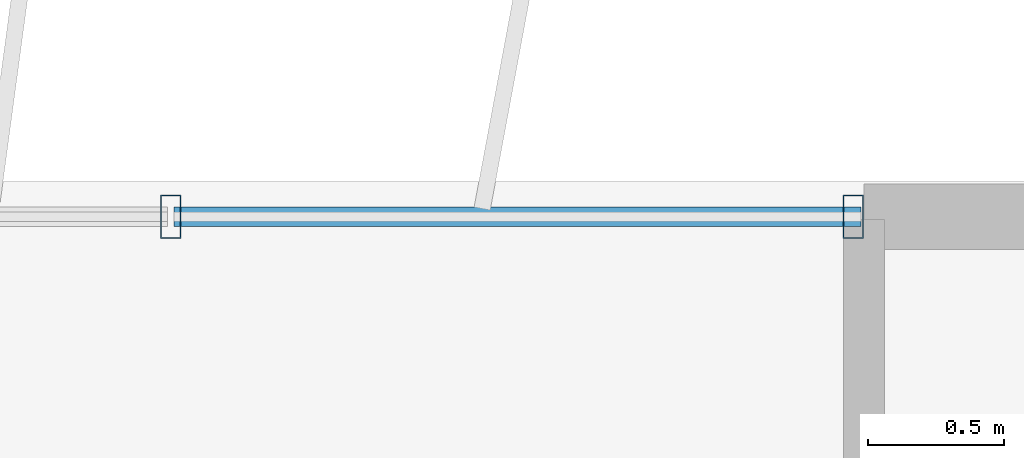
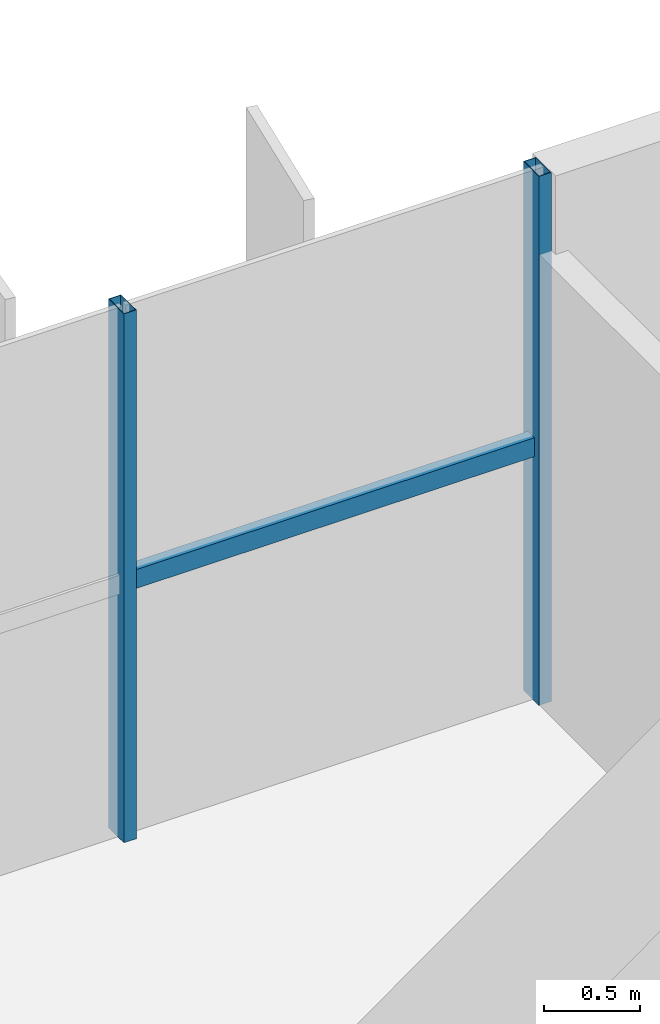
# One storey, part 14 of 21: 3 members, 1 element without a shape of its own.
"""IFC4 building model written with IfcOpenShell, lengths in metres."""

from ifc_helpers import new_model, si_unit, direction, frame, origin, origin_2d, place, context, subcontext, project, spatial, hollow_rectangle, extrude, source, transform, mapped, material, material_profile, profile_set, type_object, element, aggregate, save


model = new_model("IFC4")

# Units and contexts
model_context = context("Model", 3, precision=1e-05, world=origin(), true_north=direction((0.0, 1.0)))
body_context = subcontext(model_context, "Body", "Model", "MODEL_VIEW")
ifc_project = project(units=[si_unit("LENGTHUNIT", "METRE"), si_unit("AREAUNIT", "SQUARE_METRE"), si_unit("VOLUMEUNIT", "CUBIC_METRE"), si_unit("PLANEANGLEUNIT", "RADIAN"), si_unit("MASSUNIT", "GRAM", prefix="KILO")], contexts=[model_context])

# Site, building, storey
site_placement = place(None, origin())
site = spatial("IfcSite", under=ifc_project, at=site_placement, CompositionType="ELEMENT")
building_placement = place(site_placement, origin())
building = spatial("IfcBuilding", under=site, at=building_placement, Name="Trelvane Seafront Commons", CompositionType="ELEMENT")
storey_placement = place(building_placement, frame((0.0, 0.0, 255.89990234375)))
storey = spatial("IfcBuildingStorey", under=building, at=storey_placement, Name="L66", CompositionType="ELEMENT", Elevation=255.89990234375)

# Curtain wall, members
ifc_material = material(Name="Anodised pale-silver aluminium", Category="aluminium")
curtain_wall_type = type_object("IfcCurtainWallType", Name="ARCH-CW5-UPTOWER", PredefinedType="NOTDEFINED", material=ifc_material)
curtain_wall_placement = place(storey_placement, origin())
curtain_wall = element("IfcCurtainWall", 1, at=curtain_wall_placement, inside=storey, type_object=curtain_wall_type, Name="CW-L66-0110", PredefinedType="NOTDEFINED")
ifc_material_profile_1 = material_profile(ifc_material, hollow_rectangle(XDim=0.070068359375, YDim=0.1201171875, WallThickness=0.00390625, at=origin_2d()), Name="TRAN-70x120x4")
ifc_profile_set_1 = profile_set([ifc_material_profile_1], Name="Anodised pale-silver aluminium")
member_type_1 = type_object("IfcMemberType", Name="ARCH-CW-TRAN-120", PredefinedType="USERDEFINED", material=ifc_profile_set_1)
shared_shape_1 = source(origin(), body_context, "Body", "SweptSolid", [
    extrude(hollow_rectangle(XDim=0.070068359375, YDim=0.1201171875, WallThickness=0.00390625, at=origin_2d()), origin(), (0.0, 0.0, 1.0), 2.517333984375),
])
member_1_placement = place(storey_placement, frame((56.270751953125, 48.3701171875, 1.6181640625), z_axis=(1.0, 0.0, 0.0), x_axis=(0.0, 1.0, 0.0)))
member_1 = element("IfcMember", 2, at=member_1_placement, type_object=member_type_1, Name="CW-L66-0110-T16", ObjectType="TRANSOM", PredefinedType="USERDEFINED", context=body_context, shape_type="MappedRepresentation", body=[
    mapped(shared_shape_1, transform((0.0, 0.0, 0.0), x_axis=(1.0, 0.0, 0.0), y_axis=(0.0, 1.0, 0.0), z_axis=(0.0, 0.0, 1.0), scale=1.0)),
])
ifc_material_profile_2 = material_profile(ifc_material, hollow_rectangle(XDim=0.074951171875, YDim=0.159912109375, WallThickness=0.00390625, at=origin_2d()), Name="MULL-75x160x4")
ifc_profile_set_2 = profile_set([ifc_material_profile_2], Name="Anodised pale-silver aluminium")
member_type_2 = type_object("IfcMemberType", Name="ARCH-CW-MULL-160", PredefinedType="MULLION", material=ifc_profile_set_2)
shared_shape_2 = source(origin(), body_context, "Body", "SweptSolid", [
    extrude(hollow_rectangle(XDim=0.074951171875, YDim=0.159912109375, WallThickness=0.00390625, at=origin_2d()), origin(), (0.0, 0.0, 1.0), 3.3701171875),
])
member_2_placement = place(storey_placement, frame((56.2587890625, 48.3701171875, 0.0), z_axis=(0.0, 0.0, 1.0), x_axis=(1.0, 0.0, 0.0)))
member_2 = element("IfcMember", 3, at=member_2_placement, type_object=member_type_2, Name="CW-L66-0110-M16", PredefinedType="MULLION", context=body_context, shape_type="MappedRepresentation", body=[
    mapped(shared_shape_2, transform((0.0, 0.0, 0.0), x_axis=(1.0, 0.0, 0.0), y_axis=(0.0, 1.0, 0.0), z_axis=(0.0, 0.0, 1.0), scale=1.0)),
])
member_3_placement = place(storey_placement, frame((58.760009765625, 48.3701171875, 0.0), z_axis=(0.0, 0.0, 1.0), x_axis=(1.0, 0.0, 0.0)))
member_3 = element("IfcMember", 4, at=member_3_placement, type_object=member_type_2, Name="CW-L66-0110-M17", PredefinedType="MULLION", context=body_context, shape_type="MappedRepresentation", body=[
    mapped(shared_shape_2, transform((0.0, 0.0, 0.0), x_axis=(1.0, 0.0, 0.0), y_axis=(0.0, 1.0, 0.0), z_axis=(0.0, 0.0, 1.0), scale=1.0)),
])
aggregate(curtain_wall, [member_2, member_3, member_1])

save(model, "model.ifc")
